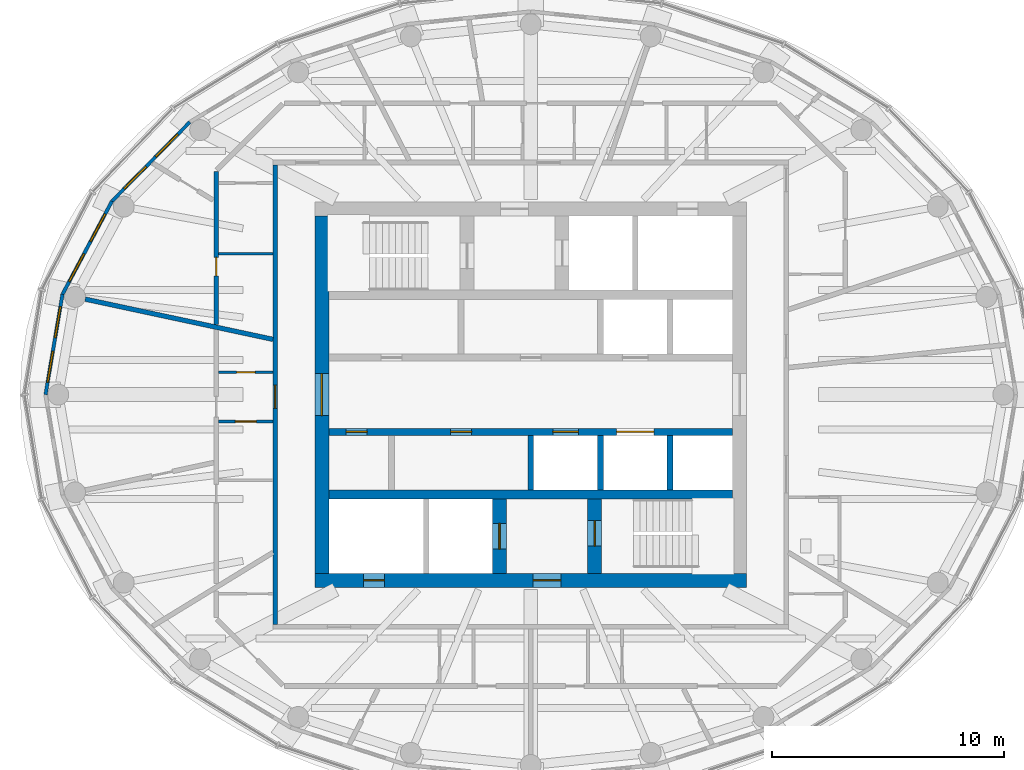
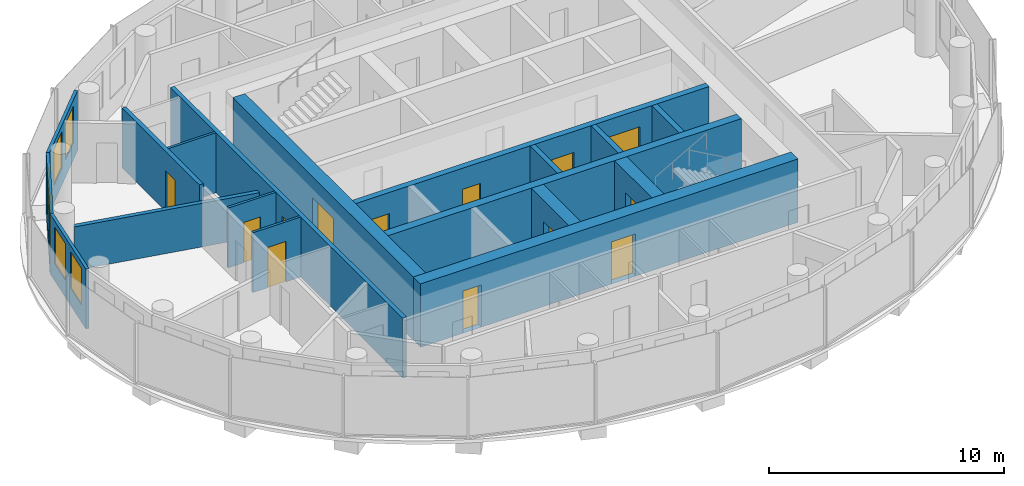
# One storey, part 6 of 11: 18 walls, 13 doors, 6 windows, 19 openings.
"""IFC4 building model written with IfcOpenShell, lengths in metres."""

from ifc_helpers import new_model, si_unit, direction, frame, frame_2d, origin, place, context, subcontext, project, spatial, rectangle, extrude, material, layer, layer_set, type_object, element, fill, save


model = new_model("IFC4")

# Units and contexts
model_context = context("Model", 3, precision=1e-05, world=origin(), true_north=direction((0.0, 1.0)))
body_context = subcontext(model_context, "Body", "Model", "MODEL_VIEW")
ifc_project = project(units=[si_unit("LENGTHUNIT", "METRE"), si_unit("AREAUNIT", "SQUARE_METRE"), si_unit("VOLUMEUNIT", "CUBIC_METRE"), si_unit("PLANEANGLEUNIT", "RADIAN"), si_unit("MASSUNIT", "GRAM", prefix="KILO")], contexts=[model_context])

# Site, building, storey
site_placement = place(None, origin())
site = spatial("IfcSite", under=ifc_project, at=site_placement, CompositionType="ELEMENT")
building_placement = place(site_placement, origin())
building = spatial("IfcBuilding", under=site, at=building_placement, Name="Hankou Lantern Tower", CompositionType="ELEMENT")
storey_placement = place(building_placement, frame((0.0, 0.0, 192.89990234375)))
storey = spatial("IfcBuildingStorey", under=building, at=storey_placement, Name="L51", CompositionType="ELEMENT", Elevation=192.89990234375)

# Wall, openings, doors
ifc_material_1 = material(Name="Concrete C60", Category="concrete")
ifc_layer_1 = layer(ifc_material_1, 0.60009765625)
ifc_layer_set_1 = layer_set([ifc_layer_1], Name="Concrete C60")
wall_type_1 = type_object("IfcWallType", Name="CW3 CORE WALL 600", PredefinedType="SHEAR", material=ifc_layer_set_1)
wall_1_placement = place(storey_placement, frame((9.300048828125, -8.0, 0.0), z_axis=(0.0, 0.0, 1.0), x_axis=(-1.0, 0.0, 0.0)))
wall_1 = element("IfcWall", 1, at=wall_1_placement, inside=storey, type_object=wall_type_1, Name="Core wall south L51", PredefinedType="SHEAR", context=body_context, shape_type="SweptSolid", body=[
    extrude(rectangle(XDim=18.60009765625, YDim=0.60009765625, at=frame_2d((9.300048828125, 0.0))), origin(), (0.0, 0.0, 1.0), 3.300048828125),
])
opening_1_placement = place(wall_1_placement, frame((8.0, 0.0, 0.0)))
opening_1 = element("IfcOpeningElement", 2, at=opening_1_placement, cuts=wall_1, Name="Opening D5", PredefinedType="OPENING", context=body_context, shape_type="SweptSolid", body=[
    extrude(rectangle(XDim=1.199951171875, YDim=2.199951171875, at=frame_2d((0.60009765625, 1.10009765625))), frame((0.0, 0.31005859375, 0.0), z_axis=(0.0, -1.0, 0.0), x_axis=(1.0, 0.0, 0.0)), (0.0, 0.0, 1.0), 0.6201171875),
])
opening_2_placement = place(wall_1_placement, frame((15.60009765625, 0.0, 0.0)))
opening_2 = element("IfcOpeningElement", 3, at=opening_2_placement, cuts=wall_1, Name="Opening D7", PredefinedType="OPENING", context=body_context, shape_type="SweptSolid", body=[
    extrude(rectangle(XDim=0.89990234375, YDim=2.199951171875, at=frame_2d((0.449951171875, 1.10009765625))), frame((0.0, 0.31005859375, 0.0), z_axis=(0.0, -1.0, 0.0), x_axis=(1.0, 0.0, 0.0)), (0.0, 0.0, 1.0), 0.6201171875),
])
ifc_material_2 = material(Name="Steel door leaf", Category="steel")
door_type_1 = type_object("IfcDoorType", Name="D5 STAIR LOBBY DOOR 1200X2200", OperationType="SINGLE_SWING_LEFT", PredefinedType="DOOR", material=ifc_material_2)
door_1_placement = place(opening_1_placement, origin())
door_1 = element("IfcDoor", 4, at=door_1_placement, inside=storey, type_object=door_type_1, Name="Stair B lobby door", OperationType="SINGLE_SWING_LEFT", OverallHeight=2.199951171875, OverallWidth=1.199951171875, PredefinedType="DOOR", context=body_context, shape_type="SweptSolid", body=[
    extrude(rectangle(XDim=1.199951171875, YDim=2.199951171875, at=frame_2d((0.60009765625, 1.10009765625))), frame((0.0, 0.02490234375, 0.0), z_axis=(0.0, -1.0, 0.0), x_axis=(1.0, 0.0, 0.0)), (0.0, 0.0, 1.0), 0.050048828125),
])
fill(opening_1, door_1)
ifc_material_3 = material(Name="Steel door leaf", Category="steel")
door_type_2 = type_object("IfcDoorType", Name="D7 RISER DOOR 900X2200", OperationType="SINGLE_SWING_LEFT", PredefinedType="DOOR", material=ifc_material_3)
door_2_placement = place(opening_2_placement, origin())
door_2 = element("IfcDoor", 5, at=door_2_placement, inside=storey, type_object=door_type_2, Name="Riser S1 door", OperationType="SINGLE_SWING_RIGHT", OverallHeight=2.199951171875, OverallWidth=0.89990234375, PredefinedType="DOOR", context=body_context, shape_type="SweptSolid", body=[
    extrude(rectangle(XDim=0.89990234375, YDim=2.199951171875, at=frame_2d((0.449951171875, 1.10009765625))), frame((0.0, 0.02490234375, 0.0), z_axis=(0.0, -1.0, 0.0), x_axis=(1.0, 0.0, 0.0)), (0.0, 0.0, 1.0), 0.050048828125),
])
fill(opening_2, door_2)

# Wall, opening, door
wall_2_placement = place(storey_placement, frame((-9.0, 7.699951171875, 0.0), z_axis=(0.0, 0.0, 1.0), x_axis=(0.0, -1.0, 0.0)))
wall_2 = element("IfcWall", 6, at=wall_2_placement, inside=storey, type_object=wall_type_1, Name="Core wall west L51", PredefinedType="SHEAR", context=body_context, shape_type="SweptSolid", body=[
    extrude(rectangle(XDim=15.39990234375, YDim=0.60009765625, at=frame_2d((7.699951171875, 0.0))), origin(), (0.0, 0.0, 1.0), 3.300048828125),
])
opening_3_placement = place(wall_2_placement, frame((6.800048828125, 0.0, 0.0)))
opening_3 = element("IfcOpeningElement", 7, at=opening_3_placement, cuts=wall_2, Name="Opening D6", PredefinedType="OPENING", context=body_context, shape_type="SweptSolid", body=[
    extrude(rectangle(XDim=1.800048828125, YDim=2.199951171875, at=frame_2d((0.89990234375, 1.10009765625))), frame((0.0, 0.31005859375, 0.0), z_axis=(0.0, -1.0, 0.0), x_axis=(1.0, 0.0, 0.0)), (0.0, 0.0, 1.0), 0.6201171875),
])
ifc_material_4 = material(Name="Steel door leaf", Category="steel")
door_type_3 = type_object("IfcDoorType", Name="D6 LIFT LOBBY DOOR 1800X2200", OperationType="DOUBLE_DOOR_DOUBLE_SWING", PredefinedType="DOOR", material=ifc_material_4)
door_3_placement = place(opening_3_placement, origin())
door_3 = element("IfcDoor", 8, at=door_3_placement, inside=storey, type_object=door_type_3, Name="Lift lobby west door", OperationType="DOUBLE_DOOR_DOUBLE_SWING", OverallHeight=2.199951171875, OverallWidth=1.800048828125, PredefinedType="DOOR", context=body_context, shape_type="SweptSolid", body=[
    extrude(rectangle(XDim=1.800048828125, YDim=2.199951171875, at=frame_2d((0.89990234375, 1.10009765625))), frame((0.0, 0.02490234375, 0.0), z_axis=(0.0, -1.0, 0.0), x_axis=(1.0, 0.0, 0.0)), (0.0, 0.0, 1.0), 0.050048828125),
])
fill(opening_3, door_3)

# Wall
ifc_material_5 = material(Name="Concrete C60", Category="concrete")
ifc_layer_2 = layer(ifc_material_5, 0.39990234375)
ifc_layer_set_2 = layer_set([ifc_layer_2], Name="Concrete C60")
wall_type_2 = type_object("IfcWallType", Name="CW4 CORE CROSS WALL 400", PredefinedType="SHEAR", material=ifc_layer_set_2)
wall_3_placement = place(storey_placement, frame((-8.699951171875, -4.300048828125, 0.0), z_axis=(0.0, 0.0, 1.0), x_axis=(1.0, 0.0, 0.0)))
element("IfcWall", 9, at=wall_3_placement, inside=storey, type_object=wall_type_2, Name="Core band wall south L51", PredefinedType="SHEAR", context=body_context, shape_type="SweptSolid", body=[
    extrude(rectangle(XDim=17.39990234375, YDim=0.39990234375, at=frame_2d((8.699951171875, 0.0))), origin(), (0.0, 0.0, 1.0), 3.300048828125),
])

# Wall, openings, doors
ifc_material_6 = material(Name="Concrete C60", Category="concrete")
ifc_layer_3 = layer(ifc_material_6, 0.300048828125)
ifc_layer_set_3 = layer_set([ifc_layer_3], Name="Concrete C60")
wall_type_3 = type_object("IfcWallType", Name="CW5 LIFT LOBBY WALL 300", PredefinedType="SHEAR", material=ifc_layer_set_3)
wall_4_placement = place(storey_placement, frame((-8.699951171875, -1.60009765625, 0.0), z_axis=(0.0, 0.0, 1.0), x_axis=(1.0, 0.0, 0.0)))
wall_4 = element("IfcWall", 10, at=wall_4_placement, inside=storey, type_object=wall_type_3, Name="Lift lobby wall south L51", PredefinedType="SHEAR", context=body_context, shape_type="SweptSolid", body=[
    extrude(rectangle(XDim=17.39990234375, YDim=0.300048828125, at=frame_2d((8.699951171875, 0.0))), origin(), (0.0, 0.0, 1.0), 3.300048828125),
])
opening_4_placement = place(wall_4_placement, frame((9.64990234375, 0.0, 0.0)))
opening_4 = element("IfcOpeningElement", 11, at=opening_4_placement, cuts=wall_4, Name="Opening LD1", PredefinedType="OPENING", context=body_context, shape_type="SweptSolid", body=[
    extrude(rectangle(XDim=1.10009765625, YDim=2.199951171875, at=frame_2d((0.550048828125, 1.10009765625))), frame((0.0, 0.159912109375, 0.0), z_axis=(0.0, -1.0, 0.0), x_axis=(1.0, 0.0, 0.0)), (0.0, 0.0, 1.0), 0.320068359375),
])
opening_5_placement = place(wall_4_placement, frame((12.39990234375, 0.0, 0.0)))
opening_5 = element("IfcOpeningElement", 12, at=opening_5_placement, cuts=wall_4, Name="Opening LD4", PredefinedType="OPENING", context=body_context, shape_type="SweptSolid", body=[
    extrude(rectangle(XDim=1.60009765625, YDim=2.39990234375, at=frame_2d((0.800048828125, 1.199951171875))), frame((0.0, 0.159912109375, 0.0), z_axis=(0.0, -1.0, 0.0), x_axis=(1.0, 0.0, 0.0)), (0.0, 0.0, 1.0), 0.320068359375),
])
opening_6_placement = place(wall_4_placement, frame((0.75, 0.0, 0.0)))
opening_6 = element("IfcOpeningElement", 13, at=opening_6_placement, cuts=wall_4, Name="Opening D30", PredefinedType="OPENING", context=body_context, shape_type="SweptSolid", body=[
    extrude(rectangle(XDim=0.89990234375, YDim=2.199951171875, at=frame_2d((0.449951171875, 1.10009765625))), frame((0.0, 0.159912109375, 0.0), z_axis=(0.0, -1.0, 0.0), x_axis=(1.0, 0.0, 0.0)), (0.0, 0.0, 1.0), 0.320068359375),
])
opening_7_placement = place(wall_4_placement, frame((5.25, 0.0, 0.0)))
opening_7 = element("IfcOpeningElement", 14, at=opening_7_placement, cuts=wall_4, Name="Opening D30", PredefinedType="OPENING", context=body_context, shape_type="SweptSolid", body=[
    extrude(rectangle(XDim=0.89990234375, YDim=2.199951171875, at=frame_2d((0.449951171875, 1.10009765625))), frame((0.0, 0.159912109375, 0.0), z_axis=(0.0, -1.0, 0.0), x_axis=(1.0, 0.0, 0.0)), (0.0, 0.0, 1.0), 0.320068359375),
])
ifc_material_7 = material(Name="Steel door leaf", Category="steel")
door_type_4 = type_object("IfcDoorType", Name="D30 CORE ROOM DOOR 900X2200", OperationType="SINGLE_SWING_LEFT", PredefinedType="DOOR", material=ifc_material_7)
door_4_placement = place(opening_6_placement, origin())
door_4 = element("IfcDoor", 15, at=door_4_placement, inside=storey, type_object=door_type_4, Name="Housekeeping and linen store door", OperationType="SINGLE_SWING_LEFT", OverallHeight=2.199951171875, OverallWidth=0.89990234375, PredefinedType="DOOR", context=body_context, shape_type="SweptSolid", body=[
    extrude(rectangle(XDim=0.89990234375, YDim=2.199951171875, at=frame_2d((0.449951171875, 1.10009765625))), frame((0.0, 0.02490234375, 0.0), z_axis=(0.0, -1.0, 0.0), x_axis=(1.0, 0.0, 0.0)), (0.0, 0.0, 1.0), 0.050048828125),
])
fill(opening_6, door_4)
door_5_placement = place(opening_7_placement, origin())
door_5 = element("IfcDoor", 16, at=door_5_placement, inside=storey, type_object=door_type_4, Name="Cleaner's store door", OperationType="SINGLE_SWING_LEFT", OverallHeight=2.199951171875, OverallWidth=0.89990234375, PredefinedType="DOOR", context=body_context, shape_type="SweptSolid", body=[
    extrude(rectangle(XDim=0.89990234375, YDim=2.199951171875, at=frame_2d((0.449951171875, 1.10009765625))), frame((0.0, 0.02490234375, 0.0), z_axis=(0.0, -1.0, 0.0), x_axis=(1.0, 0.0, 0.0)), (0.0, 0.0, 1.0), 0.050048828125),
])
fill(opening_7, door_5)
ifc_material_8 = material(Name="Steel door leaf", Category="steel")
door_type_5 = type_object("IfcDoorType", Name="LD1 LIFT LANDING DOOR 1100X2200", OperationType="DOUBLE_DOOR_SLIDING", PredefinedType="DOOR", material=ifc_material_8)
door_6_placement = place(opening_4_placement, origin())
door_6 = element("IfcDoor", 17, at=door_6_placement, inside=storey, type_object=door_type_5, Name="Lift T2 landing door", OperationType="DOUBLE_DOOR_SLIDING", OverallHeight=2.199951171875, OverallWidth=1.10009765625, PredefinedType="DOOR", context=body_context, shape_type="SweptSolid", body=[
    extrude(rectangle(XDim=1.10009765625, YDim=2.199951171875, at=frame_2d((0.550048828125, 1.10009765625))), frame((0.0, 0.02490234375, 0.0), z_axis=(0.0, -1.0, 0.0), x_axis=(1.0, 0.0, 0.0)), (0.0, 0.0, 1.0), 0.050048828125),
])
fill(opening_4, door_6)
ifc_material_9 = material(Name="Steel door leaf", Category="steel")
door_type_6 = type_object("IfcDoorType", Name="LD4 SERVICE LIFT LANDING DOOR 1600X2400", OperationType="DOUBLE_DOOR_SLIDING", PredefinedType="DOOR", material=ifc_material_9)
door_7_placement = place(opening_5_placement, origin())
door_7 = element("IfcDoor", 18, at=door_7_placement, inside=storey, type_object=door_type_6, Name="Lift SV1 landing door", OperationType="DOUBLE_DOOR_SLIDING", OverallHeight=2.39990234375, OverallWidth=1.60009765625, PredefinedType="DOOR", context=body_context, shape_type="SweptSolid", body=[
    extrude(rectangle(XDim=1.60009765625, YDim=2.39990234375, at=frame_2d((0.800048828125, 1.199951171875))), frame((0.0, 0.02490234375, 0.0), z_axis=(0.0, -1.0, 0.0), x_axis=(1.0, 0.0, 0.0)), (0.0, 0.0, 1.0), 0.050048828125),
])
fill(opening_5, door_7)

# Wall, opening, door
ifc_material_10 = material(Name="Concrete C60", Category="concrete")
ifc_layer_4 = layer(ifc_material_10, 0.60009765625)
ifc_layer_set_4 = layer_set([ifc_layer_4], Name="Concrete C60")
wall_type_4 = type_object("IfcWallType", Name="CW6 STAIR AND SHAFT WALL 600", PredefinedType="SHEAR", material=ifc_layer_set_4)
wall_5_placement = place(storey_placement, frame((2.75, -7.699951171875, 0.0), z_axis=(0.0, 0.0, 1.0), x_axis=(0.0, 1.0, 0.0)))
wall_5 = element("IfcWall", 19, at=wall_5_placement, inside=storey, type_object=wall_type_4, Name="Stair wall L51", PredefinedType="SHEAR", context=body_context, shape_type="SweptSolid", body=[
    extrude(rectangle(XDim=3.199951171875, YDim=0.60009765625, at=frame_2d((1.60009765625, 0.0))), origin(), (0.0, 0.0, 1.0), 3.300048828125),
])
opening_8_placement = place(wall_5_placement, frame((1.175048828125, 0.0, 0.0)))
opening_8 = element("IfcOpeningElement", 20, at=opening_8_placement, cuts=wall_5, Name="Opening D4", PredefinedType="OPENING", context=body_context, shape_type="SweptSolid", body=[
    extrude(rectangle(XDim=1.10009765625, YDim=2.199951171875, at=frame_2d((0.550048828125, 1.10009765625))), frame((0.0, 0.31005859375, 0.0), z_axis=(0.0, -1.0, 0.0), x_axis=(1.0, 0.0, 0.0)), (0.0, 0.0, 1.0), 0.6201171875),
])
ifc_material_11 = material(Name="Steel door leaf", Category="steel")
door_type_7 = type_object("IfcDoorType", Name="D4 STAIR DOOR 1100X2200", OperationType="SINGLE_SWING_LEFT", PredefinedType="DOOR", material=ifc_material_11)
door_8_placement = place(opening_8_placement, origin())
door_8 = element("IfcDoor", 21, at=door_8_placement, inside=storey, type_object=door_type_7, Name="Stair B door", OperationType="SINGLE_SWING_RIGHT", OverallHeight=2.199951171875, OverallWidth=1.10009765625, PredefinedType="DOOR", context=body_context, shape_type="SweptSolid", body=[
    extrude(rectangle(XDim=1.10009765625, YDim=2.199951171875, at=frame_2d((0.550048828125, 1.10009765625))), frame((0.0, 0.02490234375, 0.0), z_axis=(0.0, -1.0, 0.0), x_axis=(1.0, 0.0, 0.0)), (0.0, 0.0, 1.0), 0.050048828125),
])
fill(opening_8, door_8)

wall_6_placement = place(storey_placement, frame((-1.35009765625, -7.699951171875, 0.0), z_axis=(0.0, 0.0, 1.0), x_axis=(0.0, 1.0, 0.0)))
wall_6 = element("IfcWall", 22, at=wall_6_placement, inside=storey, type_object=wall_type_4, Name="Firefighting lift shaft wall L51", PredefinedType="SHEAR", context=body_context, shape_type="SweptSolid", body=[
    extrude(rectangle(XDim=3.199951171875, YDim=0.60009765625, at=frame_2d((1.60009765625, 0.0))), origin(), (0.0, 0.0, 1.0), 3.300048828125),
])
opening_9_placement = place(wall_6_placement, frame((1.050048828125, 0.0, 0.0)))
opening_9 = element("IfcOpeningElement", 23, at=opening_9_placement, cuts=wall_6, Name="Opening LD2", PredefinedType="OPENING", context=body_context, shape_type="SweptSolid", body=[
    extrude(rectangle(XDim=1.10009765625, YDim=2.199951171875, at=frame_2d((0.550048828125, 1.10009765625))), frame((0.0, 0.31005859375, 0.0), z_axis=(0.0, -1.0, 0.0), x_axis=(1.0, 0.0, 0.0)), (0.0, 0.0, 1.0), 0.6201171875),
])
ifc_material_12 = material(Name="Steel door leaf", Category="steel")
door_type_8 = type_object("IfcDoorType", Name="LD2 FIREFIGHTING LIFT LANDING DOOR 1100X2200", OperationType="DOUBLE_DOOR_SLIDING", PredefinedType="DOOR", material=ifc_material_12)
door_9_placement = place(opening_9_placement, origin())
door_9 = element("IfcDoor", 24, at=door_9_placement, inside=storey, type_object=door_type_8, Name="Firefighting lift FL2 landing door", OperationType="DOUBLE_DOOR_SLIDING", OverallHeight=2.199951171875, OverallWidth=1.10009765625, PredefinedType="DOOR", context=body_context, shape_type="SweptSolid", body=[
    extrude(rectangle(XDim=1.10009765625, YDim=2.199951171875, at=frame_2d((0.550048828125, 1.10009765625))), frame((0.0, 0.02490234375, 0.0), z_axis=(0.0, -1.0, 0.0), x_axis=(1.0, 0.0, 0.0)), (0.0, 0.0, 1.0), 0.050048828125),
])
fill(opening_9, door_9)

# Wall, openings, windows
ifc_material_13 = material(Name="Aluminium spandrel panel on steel studs", Category="steel")
ifc_layer_5 = layer(ifc_material_13, 0.14990234375)
ifc_layer_set_5 = layer_set([ifc_layer_5], Name="Aluminium spandrel panel on steel studs")
wall_type_5 = type_object("IfcWallType", Name="EW1 INNER SKIN WALL 150", PredefinedType="ELEMENTEDWALL", material=ifc_layer_set_5)
wall_7_placement = place(storey_placement, frame((-14.680419921875, 11.744384765625, 0.0), z_axis=(0.0, 0.0, 1.0), x_axis=(-0.701527379618, -0.712642501993, 0.0)))
wall_7 = element("IfcWall", 25, at=wall_7_placement, inside=storey, type_object=wall_type_5, Name="Inner skin R10-R11 L51", PredefinedType="ELEMENTEDWALL", context=body_context, shape_type="SweptSolid", body=[
    extrude(rectangle(XDim=4.788330078125, YDim=0.14990234375, at=frame_2d((2.39404296875, 0.0))), origin(), (0.0, 0.0, 1.0), 3.1201171875),
])
opening_10_placement = place(wall_7_placement, frame((0.744140625, 0.0, 0.89990234375)))
opening_10 = element("IfcOpeningElement", 26, at=opening_10_placement, cuts=wall_7, Name="Opening W4", PredefinedType="OPENING", context=body_context, shape_type="SweptSolid", body=[
    extrude(rectangle(XDim=1.35009765625, YDim=1.89990234375, at=frame_2d((0.675048828125, 0.949951171875))), frame((0.0, 0.0849609375, 0.0), z_axis=(0.0, -1.0, 0.0), x_axis=(1.0, 0.0, 0.0)), (0.0, 0.0, 1.0), 0.169921875),
])
opening_11_placement = place(wall_7_placement, frame((2.694091796875, 0.0, 0.89990234375)))
opening_11 = element("IfcOpeningElement", 27, at=opening_11_placement, cuts=wall_7, Name="Opening W4", PredefinedType="OPENING", context=body_context, shape_type="SweptSolid", body=[
    extrude(rectangle(XDim=1.35009765625, YDim=1.89990234375, at=frame_2d((0.675048828125, 0.949951171875))), frame((0.0, 0.0849609375, 0.0), z_axis=(0.0, -1.0, 0.0), x_axis=(1.0, 0.0, 0.0)), (0.0, 0.0, 1.0), 0.169921875),
])
ifc_material_14 = material(Name="Aluminium framed double glazed window", Category="aluminium")
window_type = type_object("IfcWindowType", Name="W4 SUITE WINDOW 1350X1900", PartitioningType="DOUBLE_PANEL_VERTICAL", PredefinedType="WINDOW", material=ifc_material_14)
window_1_placement = place(opening_10_placement, origin())
window_1 = element("IfcWindow", 28, at=window_1_placement, inside=storey, type_object=window_type, Name="Window R10.1 L51", OverallHeight=1.89990234375, OverallWidth=1.35009765625, PartitioningType="SINGLE_PANEL", PredefinedType="WINDOW", context=body_context, shape_type="SweptSolid", body=[
    extrude(rectangle(XDim=1.35009765625, YDim=1.89990234375, at=frame_2d((0.675048828125, 0.949951171875))), frame((0.0, 0.030029296875, 0.0), z_axis=(0.0, -1.0, 0.0), x_axis=(1.0, 0.0, 0.0)), (0.0, 0.0, 1.0), 0.06005859375),
])
fill(opening_10, window_1)
window_2_placement = place(opening_11_placement, origin())
window_2 = element("IfcWindow", 29, at=window_2_placement, inside=storey, type_object=window_type, Name="Window R10.2 L51", OverallHeight=1.89990234375, OverallWidth=1.35009765625, PartitioningType="SINGLE_PANEL", PredefinedType="WINDOW", context=body_context, shape_type="SweptSolid", body=[
    extrude(rectangle(XDim=1.35009765625, YDim=1.89990234375, at=frame_2d((0.675048828125, 0.949951171875))), frame((0.0, 0.030029296875, 0.0), z_axis=(0.0, -1.0, 0.0), x_axis=(1.0, 0.0, 0.0)), (0.0, 0.0, 1.0), 0.06005859375),
])
fill(opening_11, window_2)

wall_8_placement = place(storey_placement, frame((-18.03955078125, 8.33203125, 0.0), z_axis=(0.0, 0.0, 1.0), x_axis=(-0.469256152955, -0.883062094597, 0.0)))
wall_8 = element("IfcWall", 30, at=wall_8_placement, inside=storey, type_object=wall_type_5, Name="Inner skin R11-R12 L51", PredefinedType="ELEMENTEDWALL", context=body_context, shape_type="SweptSolid", body=[
    extrude(rectangle(XDim=4.539306640625, YDim=0.14990234375, at=frame_2d((2.26953125, 0.0))), origin(), (0.0, 0.0, 1.0), 3.1201171875),
])
opening_12_placement = place(wall_8_placement, frame((0.61962890625, 0.0, 0.89990234375)))
opening_12 = element("IfcOpeningElement", 31, at=opening_12_placement, cuts=wall_8, Name="Opening W4", PredefinedType="OPENING", context=body_context, shape_type="SweptSolid", body=[
    extrude(rectangle(XDim=1.35009765625, YDim=1.89990234375, at=frame_2d((0.675048828125, 0.949951171875))), frame((0.0, 0.0849609375, 0.0), z_axis=(0.0, -1.0, 0.0), x_axis=(1.0, 0.0, 0.0)), (0.0, 0.0, 1.0), 0.169921875),
])
opening_13_placement = place(wall_8_placement, frame((2.569580078125, 0.0, 0.89990234375)))
opening_13 = element("IfcOpeningElement", 32, at=opening_13_placement, cuts=wall_8, Name="Opening W4", PredefinedType="OPENING", context=body_context, shape_type="SweptSolid", body=[
    extrude(rectangle(XDim=1.35009765625, YDim=1.89990234375, at=frame_2d((0.675048828125, 0.949951171875))), frame((0.0, 0.0849609375, 0.0), z_axis=(0.0, -1.0, 0.0), x_axis=(1.0, 0.0, 0.0)), (0.0, 0.0, 1.0), 0.169921875),
])
window_3_placement = place(opening_12_placement, origin())
window_3 = element("IfcWindow", 33, at=window_3_placement, inside=storey, type_object=window_type, Name="Window R11.1 L51", OverallHeight=1.89990234375, OverallWidth=1.35009765625, PartitioningType="SINGLE_PANEL", PredefinedType="WINDOW", context=body_context, shape_type="SweptSolid", body=[
    extrude(rectangle(XDim=1.35009765625, YDim=1.89990234375, at=frame_2d((0.675048828125, 0.949951171875))), frame((0.0, 0.030029296875, 0.0), z_axis=(0.0, -1.0, 0.0), x_axis=(1.0, 0.0, 0.0)), (0.0, 0.0, 1.0), 0.06005859375),
])
fill(opening_12, window_3)
window_4_placement = place(opening_13_placement, origin())
window_4 = element("IfcWindow", 34, at=window_4_placement, inside=storey, type_object=window_type, Name="Window R11.2 L51", OverallHeight=1.89990234375, OverallWidth=1.35009765625, PartitioningType="SINGLE_PANEL", PredefinedType="WINDOW", context=body_context, shape_type="SweptSolid", body=[
    extrude(rectangle(XDim=1.35009765625, YDim=1.89990234375, at=frame_2d((0.675048828125, 0.949951171875))), frame((0.0, 0.030029296875, 0.0), z_axis=(0.0, -1.0, 0.0), x_axis=(1.0, 0.0, 0.0)), (0.0, 0.0, 1.0), 0.06005859375),
])
fill(opening_13, window_4)

wall_9_placement = place(storey_placement, frame((-20.169677734375, 4.323486328125, 0.0), z_axis=(0.0, 0.0, 1.0), x_axis=(-0.166538513568, -0.986034950445, 0.0)))
wall_9 = element("IfcWall", 35, at=wall_9_placement, inside=storey, type_object=wall_type_5, Name="Inner skin R12-R13 L51", PredefinedType="ELEMENTEDWALL", context=body_context, shape_type="SweptSolid", body=[
    extrude(rectangle(XDim=4.384765625, YDim=0.14990234375, at=frame_2d((2.1923828125, 0.0))), origin(), (0.0, 0.0, 1.0), 3.1201171875),
])
opening_14_placement = place(wall_9_placement, frame((0.54248046875, 0.0, 0.89990234375)))
opening_14 = element("IfcOpeningElement", 36, at=opening_14_placement, cuts=wall_9, Name="Opening W4", PredefinedType="OPENING", context=body_context, shape_type="SweptSolid", body=[
    extrude(rectangle(XDim=1.35009765625, YDim=1.89990234375, at=frame_2d((0.675048828125, 0.949951171875))), frame((0.0, 0.0849609375, 0.0), z_axis=(0.0, -1.0, 0.0), x_axis=(1.0, 0.0, 0.0)), (0.0, 0.0, 1.0), 0.169921875),
])
opening_15_placement = place(wall_9_placement, frame((2.492431640625, 0.0, 0.89990234375)))
opening_15 = element("IfcOpeningElement", 37, at=opening_15_placement, cuts=wall_9, Name="Opening W4", PredefinedType="OPENING", context=body_context, shape_type="SweptSolid", body=[
    extrude(rectangle(XDim=1.35009765625, YDim=1.89990234375, at=frame_2d((0.675048828125, 0.949951171875))), frame((0.0, 0.0849609375, 0.0), z_axis=(0.0, -1.0, 0.0), x_axis=(1.0, 0.0, 0.0)), (0.0, 0.0, 1.0), 0.169921875),
])
window_5_placement = place(opening_14_placement, origin())
window_5 = element("IfcWindow", 38, at=window_5_placement, inside=storey, type_object=window_type, Name="Window R12.1 L51", OverallHeight=1.89990234375, OverallWidth=1.35009765625, PartitioningType="SINGLE_PANEL", PredefinedType="WINDOW", context=body_context, shape_type="SweptSolid", body=[
    extrude(rectangle(XDim=1.35009765625, YDim=1.89990234375, at=frame_2d((0.675048828125, 0.949951171875))), frame((0.0, 0.030029296875, 0.0), z_axis=(0.0, -1.0, 0.0), x_axis=(1.0, 0.0, 0.0)), (0.0, 0.0, 1.0), 0.06005859375),
])
fill(opening_14, window_5)
window_6_placement = place(opening_15_placement, origin())
window_6 = element("IfcWindow", 39, at=window_6_placement, inside=storey, type_object=window_type, Name="Window R12.2 L51", OverallHeight=1.89990234375, OverallWidth=1.35009765625, PartitioningType="SINGLE_PANEL", PredefinedType="WINDOW", context=body_context, shape_type="SweptSolid", body=[
    extrude(rectangle(XDim=1.35009765625, YDim=1.89990234375, at=frame_2d((0.675048828125, 0.949951171875))), frame((0.0, 0.030029296875, 0.0), z_axis=(0.0, -1.0, 0.0), x_axis=(1.0, 0.0, 0.0)), (0.0, 0.0, 1.0), 0.06005859375),
])
fill(opening_15, window_6)

# Wall
ifc_material_15 = material(Name="Masonry lightweight concrete block", Category="masonry")
ifc_layer_6 = layer(ifc_material_15, 0.199951171875)
ifc_layer_set_6 = layer_set([ifc_layer_6], Name="Masonry lightweight concrete block")
wall_type_6 = type_object("IfcWallType", Name="IW1 GUEST ROOM PARTY WALL 200", PredefinedType="PARTITIONING", material=ifc_layer_set_6)
wall_10_placement = place(storey_placement, frame((-11.10009765625, 2.37939453125, 0.0), z_axis=(0.0, 0.0, 1.0), x_axis=(-0.977789888126, 0.209587534647, 0.0)))
element("IfcWall", 40, at=wall_10_placement, inside=storey, type_object=wall_type_6, Name="Party wall R12", PredefinedType="PARTITIONING", context=body_context, shape_type="SweptSolid", body=[
    extrude(rectangle(XDim=8.27294921875, YDim=0.199951171875, at=frame_2d((4.136474609375, 0.0))), origin(), (0.0, 0.0, 1.0), 2.27001953125),
])

# Wall, opening, door
ifc_material_16 = material(Name="Masonry lightweight concrete block", Category="masonry")
ifc_layer_7 = layer(ifc_material_16, 0.199951171875)
ifc_layer_set_7 = layer_set([ifc_layer_7], Name="Masonry lightweight concrete block")
wall_type_7 = type_object("IfcWallType", Name="IW2 CORRIDOR WALL 200", PredefinedType="PARTITIONING", material=ifc_layer_set_7)
wall_11_placement = place(storey_placement, frame((-11.0, 9.89990234375, 0.0), z_axis=(0.0, 0.0, 1.0), x_axis=(0.0, -1.0, 0.0)))
wall_11 = element("IfcWall", 41, at=wall_11_placement, inside=storey, type_object=wall_type_7, Name="Corridor wall west", PredefinedType="PARTITIONING", context=body_context, shape_type="SweptSolid", body=[
    extrude(rectangle(XDim=19.7998046875, YDim=0.199951171875, at=frame_2d((9.89990234375, 0.0))), origin(), (0.0, 0.0, 1.0), 3.1201171875),
])
opening_16_placement = place(wall_11_placement, frame((9.495361328125, 0.0, 0.0)))
opening_16 = element("IfcOpeningElement", 42, at=opening_16_placement, cuts=wall_11, Name="Opening D2", PredefinedType="OPENING", context=body_context, shape_type="SweptSolid", body=[
    extrude(rectangle(XDim=1.0, YDim=2.199951171875, at=frame_2d((0.5, 1.10009765625))), frame((0.0, 0.10986328125, 0.0), z_axis=(0.0, -1.0, 0.0), x_axis=(1.0, 0.0, 0.0)), (0.0, 0.0, 1.0), 0.219970703125),
])
ifc_material_17 = material(Name="Steel door leaf", Category="steel")
door_type_9 = type_object("IfcDoorType", Name="D2 SUITE DOOR 1000X2200", OperationType="SINGLE_SWING_LEFT", PredefinedType="DOOR", material=ifc_material_17)
door_10_placement = place(opening_16_placement, origin())
door_10 = element("IfcDoor", 43, at=door_10_placement, inside=storey, type_object=door_type_9, Name="Suite door 5105", OperationType="SINGLE_SWING_RIGHT", OverallHeight=2.199951171875, OverallWidth=1.0, PredefinedType="DOOR", context=body_context, shape_type="SweptSolid", body=[
    extrude(rectangle(XDim=1.0, YDim=2.199951171875, at=frame_2d((0.5, 1.10009765625))), frame((0.0, 0.02490234375, 0.0), z_axis=(0.0, -1.0, 0.0), x_axis=(1.0, 0.0, 0.0)), (0.0, 0.0, 1.0), 0.050048828125),
])
fill(opening_16, door_10)

# Wall
ifc_material_18 = material(Name="Masonry lightweight concrete block", Category="masonry")
ifc_layer_8 = layer(ifc_material_18, 0.1201171875)
ifc_layer_set_8 = layer_set([ifc_layer_8], Name="Masonry lightweight concrete block")
wall_type_8 = type_object("IfcWallType", Name="IW3 BATHROOM WALL 120", PredefinedType="PARTITIONING", material=ifc_layer_set_8)
wall_12_placement = place(storey_placement, frame((-11.10009765625, 6.071533203125, 0.0), z_axis=(0.0, 0.0, 1.0), x_axis=(-1.0, 0.0, 0.0)))
element("IfcWall", 44, at=wall_12_placement, inside=storey, type_object=wall_type_8, Name="Box wall 5104 3", PredefinedType="PARTITIONING", context=body_context, shape_type="SweptSolid", body=[
    extrude(rectangle(XDim=2.349853515625, YDim=0.1201171875, at=frame_2d((1.1748046875, 0.0))), origin(), (0.0, 0.0, 1.0), 3.1201171875),
])

# Wall, opening, door
wall_13_placement = place(storey_placement, frame((-11.10009765625, 0.964599609375, 0.0), z_axis=(0.0, 0.0, 1.0), x_axis=(-1.0, 0.0, 0.0)))
wall_13 = element("IfcWall", 45, at=wall_13_placement, inside=storey, type_object=wall_type_8, Name="Box wall 5105 1", PredefinedType="PARTITIONING", context=body_context, shape_type="SweptSolid", body=[
    extrude(rectangle(XDim=2.349853515625, YDim=0.1201171875, at=frame_2d((1.1748046875, 0.0))), origin(), (0.0, 0.0, 1.0), 3.1201171875),
])
opening_17_placement = place(wall_13_placement, frame((0.77001953125, 0.0, 0.0)))
opening_17 = element("IfcOpeningElement", 46, at=opening_17_placement, cuts=wall_13, Name="Opening D3", PredefinedType="OPENING", context=body_context, shape_type="SweptSolid", body=[
    extrude(rectangle(XDim=0.800048828125, YDim=2.10009765625, at=frame_2d((0.39990234375, 1.050048828125))), frame((0.0, 0.070068359375, 0.0), z_axis=(0.0, -1.0, 0.0), x_axis=(1.0, 0.0, 0.0)), (0.0, 0.0, 1.0), 0.14013671875),
])
ifc_material_19 = material(Name="Timber door leaf", Category="wood")
door_type_10 = type_object("IfcDoorType", Name="D3 BATHROOM DOOR 800X2100", OperationType="SINGLE_SWING_LEFT", PredefinedType="DOOR", material=ifc_material_19)
door_11_placement = place(opening_17_placement, origin())
door_11 = element("IfcDoor", 47, at=door_11_placement, inside=storey, type_object=door_type_10, Name="Suite 5105 guest WC door", OperationType="SINGLE_SWING_LEFT", OverallHeight=2.10009765625, OverallWidth=0.800048828125, PredefinedType="DOOR", context=body_context, shape_type="SweptSolid", body=[
    extrude(rectangle(XDim=0.800048828125, YDim=2.10009765625, at=frame_2d((0.39990234375, 1.050048828125))), frame((0.0, 0.02490234375, 0.0), z_axis=(0.0, -1.0, 0.0), x_axis=(1.0, 0.0, 0.0)), (0.0, 0.0, 1.0), 0.050048828125),
])
fill(opening_17, door_11)

wall_14_placement = place(storey_placement, frame((-11.10009765625, -1.1552734375, 0.0), z_axis=(0.0, 0.0, 1.0), x_axis=(-1.0, 0.0, 0.0)))
wall_14 = element("IfcWall", 48, at=wall_14_placement, inside=storey, type_object=wall_type_8, Name="Box wall 5105 2", PredefinedType="PARTITIONING", context=body_context, shape_type="SweptSolid", body=[
    extrude(rectangle(XDim=2.349853515625, YDim=0.1201171875, at=frame_2d((1.1748046875, 0.0))), origin(), (0.0, 0.0, 1.0), 3.1201171875),
])
opening_18_placement = place(wall_14_placement, frame((0.719970703125, 0.0, 0.0)))
opening_18 = element("IfcOpeningElement", 49, at=opening_18_placement, cuts=wall_14, Name="Opening D27", PredefinedType="OPENING", context=body_context, shape_type="SweptSolid", body=[
    extrude(rectangle(XDim=0.89990234375, YDim=2.10009765625, at=frame_2d((0.449951171875, 1.050048828125))), frame((0.0, 0.070068359375, 0.0), z_axis=(0.0, -1.0, 0.0), x_axis=(1.0, 0.0, 0.0)), (0.0, 0.0, 1.0), 0.14013671875),
])
ifc_material_20 = material(Name="Timber door leaf", Category="wood")
door_type_11 = type_object("IfcDoorType", Name="D27 INTERNAL DOOR 900X2100", OperationType="SINGLE_SWING_LEFT", PredefinedType="DOOR", material=ifc_material_20)
door_12_placement = place(opening_18_placement, origin())
door_12 = element("IfcDoor", 50, at=door_12_placement, inside=storey, type_object=door_type_11, Name="Suite 5105 walk-in wardrobe door", OperationType="SINGLE_SWING_LEFT", OverallHeight=2.10009765625, OverallWidth=0.89990234375, PredefinedType="DOOR", context=body_context, shape_type="SweptSolid", body=[
    extrude(rectangle(XDim=0.89990234375, YDim=2.10009765625, at=frame_2d((0.449951171875, 1.050048828125))), frame((0.0, 0.02490234375, 0.0), z_axis=(0.0, -1.0, 0.0), x_axis=(1.0, 0.0, 0.0)), (0.0, 0.0, 1.0), 0.050048828125),
])
fill(opening_18, door_12)

ifc_material_21 = material(Name="Masonry lightweight concrete block", Category="masonry")
ifc_layer_9 = layer(ifc_material_21, 0.199951171875)
ifc_layer_set_9 = layer_set([ifc_layer_9], Name="Masonry lightweight concrete block")
wall_type_9 = type_object("IfcWallType", Name="IW6 SUITE PARTITION 200", PredefinedType="PARTITIONING", material=ifc_layer_set_9)
wall_15_placement = place(storey_placement, frame((-13.550048828125, 9.608642578125, 0.0), z_axis=(0.0, 0.0, 1.0), x_axis=(0.0, -1.0, 0.0)))
wall_15 = element("IfcWall", 51, at=wall_15_placement, inside=storey, type_object=wall_type_9, Name="Suite foyer wall 5104", PredefinedType="PARTITIONING", context=body_context, shape_type="SweptSolid", body=[
    extrude(rectangle(XDim=6.595703125, YDim=0.199951171875, at=frame_2d((3.2978515625, 0.0))), origin(), (0.0, 0.0, 1.0), 3.1201171875),
])
opening_19_placement = place(wall_15_placement, frame((3.697021484375, 0.0, 0.0)))
opening_19 = element("IfcOpeningElement", 52, at=opening_19_placement, cuts=wall_15, Name="Opening D3", PredefinedType="OPENING", context=body_context, shape_type="SweptSolid", body=[
    extrude(rectangle(XDim=0.800048828125, YDim=2.10009765625, at=frame_2d((0.39990234375, 1.050048828125))), frame((0.0, 0.10986328125, 0.0), z_axis=(0.0, -1.0, 0.0), x_axis=(1.0, 0.0, 0.0)), (0.0, 0.0, 1.0), 0.219970703125),
])
door_13_placement = place(opening_19_placement, origin())
door_13 = element("IfcDoor", 53, at=door_13_placement, inside=storey, type_object=door_type_10, Name="Suite 5104 bathroom door", OperationType="SINGLE_SWING_LEFT", OverallHeight=2.10009765625, OverallWidth=0.800048828125, PredefinedType="DOOR", context=body_context, shape_type="SweptSolid", body=[
    extrude(rectangle(XDim=0.800048828125, YDim=2.10009765625, at=frame_2d((0.39990234375, 1.050048828125))), frame((0.0, 0.02490234375, 0.0), z_axis=(0.0, -1.0, 0.0), x_axis=(1.0, 0.0, 0.0)), (0.0, 0.0, 1.0), 0.050048828125),
])
fill(opening_19, door_13)

# Walls
ifc_material_22 = material(Name="Masonry autoclaved aerated concrete block", Category="masonry")
ifc_layer_10 = layer(ifc_material_22, 0.25)
ifc_layer_set_10 = layer_set([ifc_layer_10], Name="Masonry autoclaved aerated concrete block")
wall_type_10 = type_object("IfcWallType", Name="SW1 SHAFT BLOCK WALL 250", PredefinedType="PARTITIONING", material=ifc_layer_set_10)
for number, where, z_axis, x_axis, name in (
    (54, (0.0, -4.10009765625, 0.0), (0.0, 0.0, 1.0), (0.0, 1.0, 0.0), "Lift shaft wall L51"),
    (55, (3.0, -4.10009765625, 0.0), (0.0, 0.0, 1.0), (0.0, 1.0, 0.0), "Lift shaft wall L51"),
    (56, (6.0, -4.10009765625, 0.0), (0.0, 0.0, 1.0), (0.0, 1.0, 0.0), "Lift shaft wall L51"),
):
    element("IfcWall", number, at=place(storey_placement, frame(where, z_axis=z_axis, x_axis=x_axis)), inside=storey, type_object=wall_type_10, Name=name, PredefinedType="PARTITIONING", context=body_context, shape_type="SweptSolid", body=[
        extrude(rectangle(XDim=2.35009765625, YDim=0.25, at=frame_2d((1.175048828125, 0.0))), origin(), (0.0, 0.0, 1.0), 3.300048828125),
    ])

save(model, "model.ifc")
